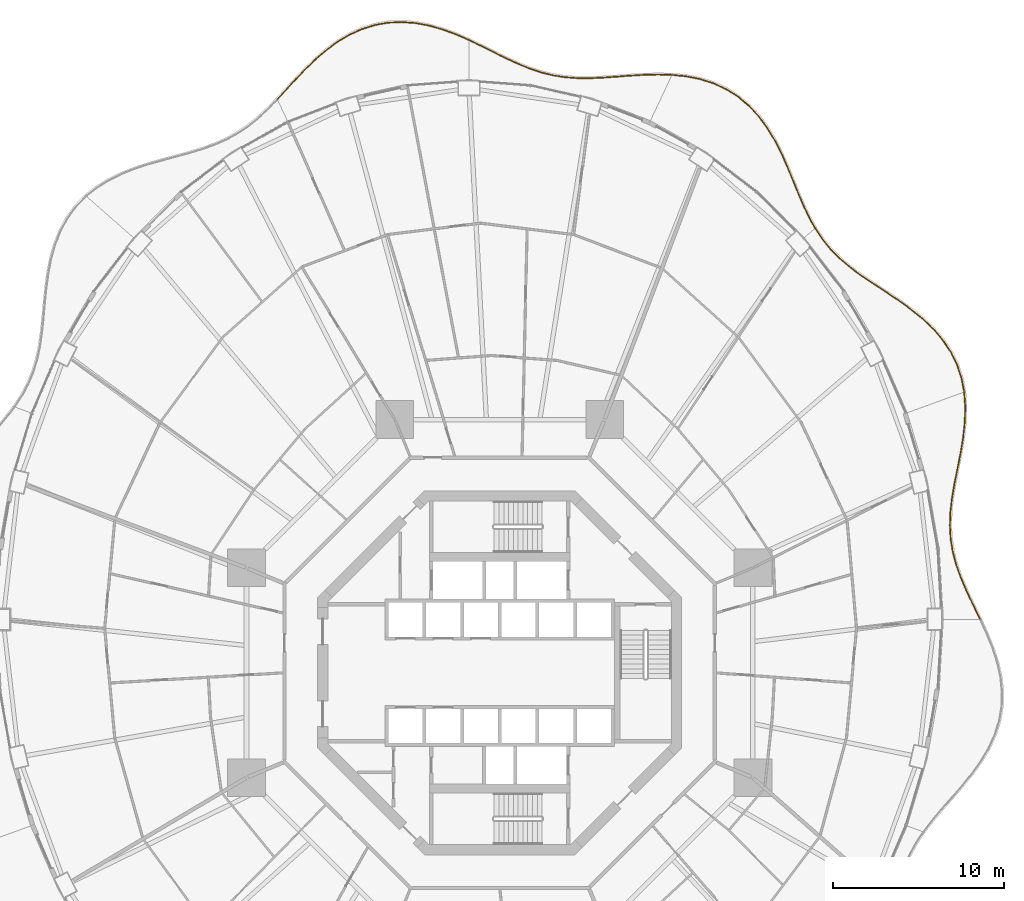
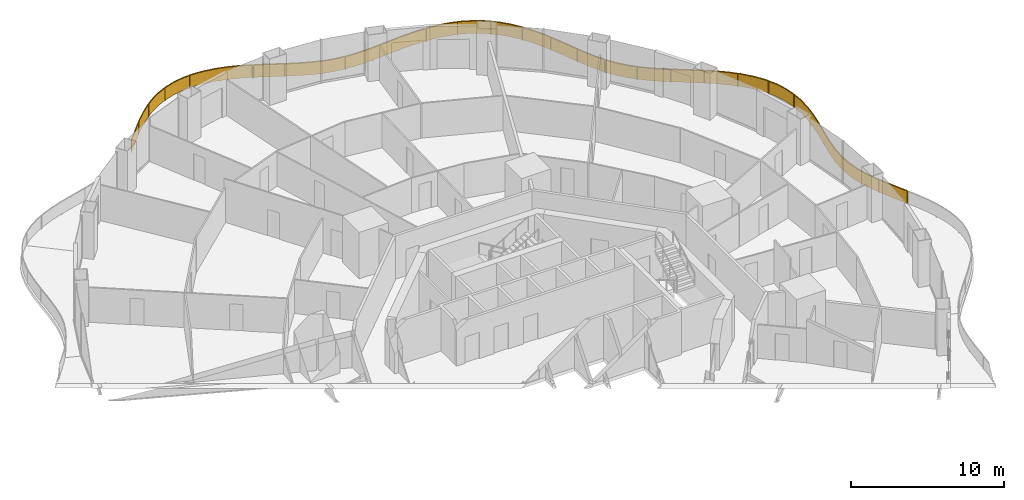
# One storey, part 22 of 22: 5 railings.
"""IFC4 building model written with IfcOpenShell, lengths in metres."""

from ifc_helpers import new_model, si_unit, direction, frame, origin, origin_2d, place, context, subcontext, project, spatial, polyline, rectangle, outline, extrude, material, type_object, element, save


model = new_model("IFC4")

# Units and contexts
model_context = context("Model", 3, precision=1e-05, world=origin(), true_north=direction((0.0, 1.0)))
body_context = subcontext(model_context, "Body", "Model", "MODEL_VIEW")
ifc_project = project(units=[si_unit("LENGTHUNIT", "METRE"), si_unit("AREAUNIT", "SQUARE_METRE"), si_unit("VOLUMEUNIT", "CUBIC_METRE"), si_unit("PLANEANGLEUNIT", "RADIAN"), si_unit("MASSUNIT", "GRAM", prefix="KILO")], contexts=[model_context])

# Site, building, storey
site_placement = place(None, origin())
site = spatial("IfcSite", under=ifc_project, at=site_placement, CompositionType="ELEMENT")
building_placement = place(site_placement, origin())
building = spatial("IfcBuilding", under=site, at=building_placement, Name="Nagisa Residences", CompositionType="ELEMENT")
storey_placement = place(building_placement, frame((0.0, 0.0, 84.39990234375)))
storey = spatial("IfcBuildingStorey", under=building, at=storey_placement, Name="L20", CompositionType="ELEMENT", Elevation=84.39990234375)

# Railings
ifc_material = material(Name="Stainless steel 316", Category="steel")
railing_type = type_object("IfcRailingType", Name="BALCONY GUARD 1100", PredefinedType="BALUSTRADE", material=ifc_material)
railing_1_placement = place(storey_placement, frame((28.029052734375, 3.15185546875, 0.0)))
element("IfcRailing", 1, at=railing_1_placement, inside=storey, type_object=railing_type, Name="guard:L20:bal00-0", PredefinedType="BALUSTRADE", context=body_context, shape_type="SweptSolid", body=[
    extrude(outline(polyline([(-0.395263671875, 0.7578125), (-0.0224609375, -0.010986328125), (0.0224609375, 0.010986328125), (-0.350341796875, 0.779296875), (-0.726806640625, 1.572998046875), (-1.065185546875, 2.353759765625), (-1.345947265625, 3.12646484375), (-1.55419921875, 3.8974609375), (-1.68017578125, 4.6591796875), (-1.725341796875, 5.4462890625), (-1.693603515625, 6.250244140625), (-1.5966796875, 7.075439453125), (-1.451416015625, 7.923095703125), (-1.276611328125, 8.779052734375), (-1.103759765625, 9.666748046875), (-0.955078125, 10.56640625), (-0.856201171875, 11.469970703125), (-0.828857421875, 12.366943359375), (-0.8876953125, 13.2001953125), (-0.9375, 13.19677734375), (-0.879150390625, 12.365966796875), (-0.906005859375, 11.473388671875), (-1.0048828125, 10.5732421875), (-1.153076171875, 9.675537109375), (-1.325927734375, 8.788818359375), (-1.500732421875, 7.932373046875), (-1.64599609375, 7.082763671875), (-1.743408203125, 6.254150390625), (-1.775634765625, 5.44580078125), (-1.72998046875, 4.65380859375), (-1.60302734375, 3.88671875), (-1.393798828125, 3.111328125), (-1.111572265625, 2.335205078125), (-0.772216796875, 1.552490234375), (-0.395263671875, 0.7578125)])), frame((0.0, 0.0, 1.050048828125)), (0.0, 0.0, 1.0), 0.050048828125),
    extrude(outline(polyline([(-0.379150390625, 0.765625), (-0.00634765625, -0.003173828125), (0.00634765625, 0.003173828125), (-0.366455078125, 0.771484375), (-0.7431640625, 1.565673828125), (-1.081787109375, 2.34716796875), (-1.36328125, 3.12109375), (-1.57177734375, 3.8935546875), (-1.697998046875, 4.6572265625), (-1.743408203125, 5.446044921875), (-1.71142578125, 6.251708984375), (-1.614501953125, 7.078125), (-1.46923828125, 7.926513671875), (-1.29443359375, 8.782470703125), (-1.12158203125, 9.669921875), (-0.97314453125, 10.56884765625), (-0.8740234375, 11.47119140625), (-0.846923828125, 12.36669921875), (-0.905517578125, 13.198974609375), (-0.919677734375, 13.197998046875), (-0.861083984375, 12.3662109375), (-0.88818359375, 11.47216796875), (-0.98681640625, 10.57080078125), (-1.13525390625, 9.67236328125), (-1.30810546875, 8.785400390625), (-1.48291015625, 7.928955078125), (-1.628173828125, 7.080078125), (-1.7255859375, 6.252685546875), (-1.757568359375, 5.446044921875), (-1.712158203125, 4.65576171875), (-1.58544921875, 3.890625), (-1.37646484375, 3.11669921875), (-1.094970703125, 2.341796875), (-0.755859375, 1.559814453125), (-0.379150390625, 0.765625)])), frame((0.0, 0.0, 0.06005859375)), (0.0, 0.0, 1.0), 0.989990234375),
    extrude(rectangle(XDim=0.0400390625, YDim=0.0400390625, at=origin_2d()), origin(), (0.0, 0.0, 1.0), 1.050048828125),
    extrude(rectangle(XDim=0.0400390625, YDim=0.0400390625, at=origin_2d()), frame((-0.961669921875, 2.052490234375, 0.0)), (0.0, 0.0, 1.0), 1.050048828125),
    extrude(rectangle(XDim=0.0400390625, YDim=0.0400390625, at=origin_2d()), frame((-1.63134765625, 4.21142578125, 0.0)), (0.0, 0.0, 1.0), 1.050048828125),
    extrude(rectangle(XDim=0.0400390625, YDim=0.0400390625, at=origin_2d()), frame((-1.693115234375, 6.46875, 0.0)), (0.0, 0.0, 1.0), 1.050048828125),
    extrude(rectangle(XDim=0.0400390625, YDim=0.0400390625, at=origin_2d()), frame((-1.31787109375, 8.703125, 0.0)), (0.0, 0.0, 1.0), 1.050048828125),
    extrude(rectangle(XDim=0.0400390625, YDim=0.0400390625, at=origin_2d()), frame((-0.939697265625, 10.937255859375, 0.0)), (0.0, 0.0, 1.0), 1.050048828125),
    extrude(rectangle(XDim=0.0400390625, YDim=0.0400390625, at=origin_2d()), frame((-0.91259765625, 13.198486328125, 0.0)), (0.0, 0.0, 1.0), 1.050048828125),
])
railing_2_placement = place(storey_placement, frame((27.106689453125, 16.427001953125, 0.0)))
element("IfcRailing", 2, at=railing_2_placement, inside=storey, type_object=railing_type, Name="guard:L20:bal01-0", PredefinedType="BALUSTRADE", context=body_context, shape_type="SweptSolid", body=[
    extrude(outline(polyline([(-0.17431640625, 0.7724609375), (-0.024658203125, -0.004638671875), (0.024658203125, 0.004638671875), (-0.1259765625, 0.78515625), (-0.390869140625, 1.57666015625), (-0.7607421875, 2.3251953125), (-1.229736328125, 3.02587890625), (-1.7880859375, 3.67626953125), (-2.4130859375, 4.26416015625), (-3.099609375, 4.8203125), (-3.820068359375, 5.3388671875), (-4.552978515625, 5.830078125), (-5.27783203125, 6.30615234375), (-5.96728515625, 6.76806640625), (-6.622802734375, 7.25390625), (-7.225341796875, 7.7646484375), (-7.768798828125, 8.311767578125), (-8.252197265625, 8.9033203125), (-8.6572265625, 9.510009765625), (-8.69873046875, 9.482177734375), (-8.292724609375, 8.87353515625), (-7.805908203125, 8.278076171875), (-7.259521484375, 7.72802734375), (-6.654052734375, 7.21484375), (-5.99609375, 6.72705078125), (-5.3056640625, 6.2646484375), (-4.580810546875, 5.78857421875), (-3.848388671875, 5.2978515625), (-3.1298828125, 4.78076171875), (-2.44580078125, 4.2265625), (-1.82421875, 3.6416015625), (-1.269775390625, 2.99560546875), (-0.80419921875, 2.30029296875), (-0.437255859375, 1.5576171875), (-0.17431640625, 0.7724609375)])), frame((0.0, 0.0, 1.050048828125)), (0.0, 0.0, 1.0), 0.050048828125),
    extrude(outline(polyline([(-0.156982421875, 0.777099609375), (-0.0068359375, -0.001220703125), (0.0068359375, 0.001220703125), (-0.143310546875, 0.780517578125), (-0.407470703125, 1.56982421875), (-0.7763671875, 2.316162109375), (-1.244140625, 3.014892578125), (-1.801025390625, 3.663818359375), (-2.4248046875, 4.250732421875), (-3.110595703125, 4.80615234375), (-3.830322265625, 5.32421875), (-4.56298828125, 5.815185546875), (-5.287841796875, 6.291259765625), (-5.9775390625, 6.753173828125), (-6.634033203125, 7.23974609375), (-7.23779296875, 7.75146484375), (-7.7822265625, 8.299560546875), (-8.266845703125, 8.892578125), (-8.672119140625, 9.5), (-8.683837890625, 9.4921875), (-8.278076171875, 8.88427734375), (-7.79248046875, 8.290283203125), (-7.2470703125, 7.7412109375), (-6.642822265625, 7.22900390625), (-5.98583984375, 6.741943359375), (-5.295654296875, 6.279541015625), (-4.57080078125, 5.803466796875), (-3.838134765625, 5.3125), (-3.118896484375, 4.794921875), (-2.43408203125, 4.239990234375), (-1.811279296875, 3.654052734375), (-1.25537109375, 3.006591796875), (-0.78857421875, 2.309326171875), (-0.420654296875, 1.564453125), (-0.156982421875, 0.777099609375)])), frame((0.0, 0.0, 0.06005859375)), (0.0, 0.0, 1.0), 0.989990234375),
    extrude(rectangle(XDim=0.0400390625, YDim=0.0400390625, at=origin_2d()), origin(), (0.0, 0.0, 1.0), 1.050048828125),
    extrude(rectangle(XDim=0.0400390625, YDim=0.0400390625, at=origin_2d()), frame((-0.67138671875, 2.088134765625, 0.0)), (0.0, 0.0, 1.0), 1.050048828125),
    extrude(rectangle(XDim=0.0400390625, YDim=0.0400390625, at=origin_2d()), frame((-1.99609375, 3.837646484375, 0.0)), (0.0, 0.0, 1.0), 1.050048828125),
    extrude(rectangle(XDim=0.0400390625, YDim=0.0400390625, at=origin_2d()), frame((-3.706298828125, 5.226318359375, 0.0)), (0.0, 0.0, 1.0), 1.050048828125),
    extrude(rectangle(XDim=0.0400390625, YDim=0.0400390625, at=origin_2d()), frame((-5.5400390625, 6.45166015625, 0.0)), (0.0, 0.0, 1.0), 1.050048828125),
    extrude(rectangle(XDim=0.0400390625, YDim=0.0400390625, at=origin_2d()), frame((-7.2880859375, 7.792236328125, 0.0)), (0.0, 0.0, 1.0), 1.050048828125),
    extrude(rectangle(XDim=0.0400390625, YDim=0.0400390625, at=origin_2d()), frame((-8.677978515625, 9.49609375, 0.0)), (0.0, 0.0, 1.0), 1.050048828125),
])
railing_3_placement = place(storey_placement, frame((18.3935546875, 25.984130859375, 0.0)))
element("IfcRailing", 3, at=railing_3_placement, inside=storey, type_object=railing_type, Name="guard:L20:bal02-0", PredefinedType="BALUSTRADE", context=body_context, shape_type="SweptSolid", body=[
    extrude(outline(polyline([(-0.365966796875, 0.611572265625), (-0.02197265625, -0.01220703125), (0.02197265625, 0.01220703125), (-0.321533203125, 0.634521484375), (-0.65478515625, 1.33642578125), (-0.9697265625, 2.0751953125), (-1.281494140625, 2.840576171875), (-1.60546875, 3.61962890625), (-1.94384765625, 4.38623046875), (-2.334716796875, 5.14501953125), (-2.77587890625, 5.8681640625), (-3.27587890625, 6.539306640625), (-3.8388671875, 7.143310546875), (-4.453857421875, 7.660400390625), (-5.139892578125, 8.096435546875), (-5.882568359375, 8.441650390625), (-6.671142578125, 8.694580078125), (-7.4951171875, 8.860595703125), (-8.29541015625, 8.94189453125), (-8.30029296875, 8.89208984375), (-7.50244140625, 8.811279296875), (-6.683837890625, 8.646240234375), (-5.900634765625, 8.394775390625), (-5.163818359375, 8.052490234375), (-4.483642578125, 7.619873046875), (-3.87353515625, 7.107177734375), (-3.314453125, 6.507080078125), (-2.8173828125, 5.84033203125), (-2.378173828125, 5.12060546875), (-1.9892578125, 4.36474609375), (-1.6513671875, 3.60009765625), (-1.327880859375, 2.821533203125), (-1.01611328125, 2.05615234375), (-0.7001953125, 1.31591796875), (-0.365966796875, 0.611572265625)])), frame((0.0, 0.0, 1.050048828125)), (0.0, 0.0, 1.0), 0.050048828125),
    extrude(outline(polyline([(-0.35009765625, 0.619873046875), (-0.006103515625, -0.00341796875), (0.006103515625, 0.00341796875), (-0.33740234375, 0.626220703125), (-0.671142578125, 1.3291015625), (-0.986572265625, 2.068359375), (-1.298095703125, 2.833740234375), (-1.6220703125, 3.612548828125), (-1.960205078125, 4.37841796875), (-2.350341796875, 5.13623046875), (-2.790771484375, 5.858154296875), (-3.289794921875, 6.527587890625), (-3.851318359375, 7.13037109375), (-4.464599609375, 7.645751953125), (-5.1484375, 8.08056640625), (-5.88916015625, 8.4248046875), (-6.67578125, 8.67724609375), (-7.497802734375, 8.8427734375), (-8.297119140625, 8.924072265625), (-8.298583984375, 8.909912109375), (-7.499755859375, 8.8291015625), (-6.67919921875, 8.66357421875), (-5.89404296875, 8.41162109375), (-5.1552734375, 8.068359375), (-4.472900390625, 7.634521484375), (-3.861083984375, 7.1201171875), (-3.300537109375, 6.518798828125), (-2.802490234375, 5.850341796875), (-2.362548828125, 5.12939453125), (-1.972900390625, 4.37255859375), (-1.634765625, 3.607177734375), (-1.311279296875, 2.828369140625), (-0.999267578125, 2.06298828125), (-0.683837890625, 1.3232421875), (-0.35009765625, 0.619873046875)])), frame((0.0, 0.0, 0.06005859375)), (0.0, 0.0, 1.0), 0.989990234375),
    extrude(rectangle(XDim=0.0400390625, YDim=0.0400390625, at=origin_2d()), origin(), (0.0, 0.0, 1.0), 1.050048828125),
    extrude(rectangle(XDim=0.0400390625, YDim=0.0400390625, at=origin_2d()), frame((-0.946044921875, 1.955810546875, 0.0)), (0.0, 0.0, 1.0), 1.050048828125),
    extrude(rectangle(XDim=0.0400390625, YDim=0.0400390625, at=origin_2d()), frame((-1.783935546875, 3.962158203125, 0.0)), (0.0, 0.0, 1.0), 1.050048828125),
    extrude(rectangle(XDim=0.0400390625, YDim=0.0400390625, at=origin_2d()), frame((-2.81201171875, 5.874755859375, 0.0)), (0.0, 0.0, 1.0), 1.050048828125),
    extrude(rectangle(XDim=0.0400390625, YDim=0.0400390625, at=origin_2d()), frame((-4.271728515625, 7.474609375, 0.0)), (0.0, 0.0, 1.0), 1.050048828125),
    extrude(rectangle(XDim=0.0400390625, YDim=0.0400390625, at=origin_2d()), frame((-6.16943359375, 8.50732421875, 0.0)), (0.0, 0.0, 1.0), 1.050048828125),
    extrude(rectangle(XDim=0.0400390625, YDim=0.0400390625, at=origin_2d()), frame((-8.2978515625, 8.9169921875, 0.0)), (0.0, 0.0, 1.0), 1.050048828125),
])
railing_4_placement = place(storey_placement, frame((10.0185546875, 34.905029296875, 0.0)))
element("IfcRailing", 4, at=railing_4_placement, inside=storey, type_object=railing_type, Name="guard:L20:bal03-0", PredefinedType="BALUSTRADE", context=body_context, shape_type="SweptSolid", body=[
    extrude(outline(polyline([(-0.779296875, -0.004638671875), (-0.000732421875, -0.02490234375), (0.000732421875, 0.02490234375), (-0.779296875, 0.045654296875), (-1.607421875, 0.024658203125), (-2.427490234375, -0.024169921875), (-3.231689453125, -0.083984375), (-4.015869140625, -0.13720703125), (-4.759765625, -0.17236328125), (-5.497314453125, -0.165771484375), (-6.21337890625, -0.11083984375), (-6.912353515625, -0.00048828125), (-7.599853515625, 0.168701171875), (-8.264892578125, 0.392578125), (-8.94970703125, 0.67138671875), (-9.642578125, 0.991943359375), (-10.34912109375, 1.341552734375), (-11.0732421875, 1.703369140625), (-11.773193359375, 2.041259765625), (-11.795166015625, 1.996337890625), (-11.09521484375, 1.658447265625), (-10.37158203125, 1.296630859375), (-9.6640625, 0.947021484375), (-8.9697265625, 0.62548828125), (-8.282470703125, 0.345703125), (-7.614013671875, 0.120361328125), (-6.922119140625, -0.0498046875), (-6.21923828125, -0.16064453125), (-5.499267578125, -0.215576171875), (-4.7587890625, -0.22265625), (-4.012939453125, -0.18701171875), (-3.228271484375, -0.1337890625), (-2.424072265625, -0.073974609375), (-1.60546875, -0.025146484375), (-0.779296875, -0.004638671875)])), frame((0.0, 0.0, 1.050048828125)), (0.0, 0.0, 1.0), 0.050048828125),
    extrude(outline(polyline([(-0.779296875, 0.013427734375), (-0.000244140625, -0.007080078125), (0.000244140625, 0.007080078125), (-0.779296875, 0.027587890625), (-1.606689453125, 0.0068359375), (-2.42626953125, -0.0419921875), (-3.23046875, -0.101806640625), (-4.014892578125, -0.155029296875), (-4.759521484375, -0.1904296875), (-5.498046875, -0.18359375), (-6.215576171875, -0.128662109375), (-6.915771484375, -0.018310546875), (-7.60498046875, 0.1513671875), (-8.271240234375, 0.375732421875), (-8.95703125, 0.65478515625), (-9.650390625, 0.975830078125), (-10.357177734375, 1.325439453125), (-11.0810546875, 1.687255859375), (-11.78125, 2.025146484375), (-11.787109375, 2.012451171875), (-11.08740234375, 1.674560546875), (-10.363525390625, 1.312744140625), (-9.65625, 0.963134765625), (-8.96240234375, 0.64208984375), (-8.276123046875, 0.362548828125), (-7.60888671875, 0.1376953125), (-6.918701171875, -0.031982421875), (-6.217041015625, -0.142822265625), (-5.49853515625, -0.19775390625), (-4.759033203125, -0.20458984375), (-4.013916015625, -0.169189453125), (-3.2294921875, -0.115966796875), (-2.42529296875, -0.05615234375), (-1.606201171875, -0.00732421875), (-0.779296875, 0.013427734375)])), frame((0.0, 0.0, 0.06005859375)), (0.0, 0.0, 1.0), 0.989990234375),
    extrude(rectangle(XDim=0.0400390625, YDim=0.0400390625, at=origin_2d()), origin(), (0.0, 0.0, 1.0), 1.050048828125),
    extrude(rectangle(XDim=0.0400390625, YDim=0.0400390625, at=origin_2d()), frame((-2.036865234375, -0.02587890625, 0.0)), (0.0, 0.0, 1.0), 1.050048828125),
    extrude(rectangle(XDim=0.0400390625, YDim=0.0400390625, at=origin_2d()), frame((-4.0703125, -0.164794921875, 0.0)), (0.0, 0.0, 1.0), 1.050048828125),
    extrude(rectangle(XDim=0.0400390625, YDim=0.0400390625, at=origin_2d()), frame((-6.105712890625, -0.144287109375, 0.0)), (0.0, 0.0, 1.0), 1.050048828125),
    extrude(rectangle(XDim=0.0400390625, YDim=0.0400390625, at=origin_2d()), frame((-8.087890625, 0.306640625, 0.0)), (0.0, 0.0, 1.0), 1.050048828125),
    extrude(rectangle(XDim=0.0400390625, YDim=0.0400390625, at=origin_2d()), frame((-9.95556640625, 1.118896484375, 0.0)), (0.0, 0.0, 1.0), 1.050048828125),
    extrude(rectangle(XDim=0.0400390625, YDim=0.0400390625, at=origin_2d()), frame((-11.7841796875, 2.018798828125, 0.0)), (0.0, 0.0, 1.0), 1.050048828125),
])
railing_5_placement = place(storey_placement, frame((-1.8349609375, 36.95703125, 0.0)))
element("IfcRailing", 5, at=railing_5_placement, inside=storey, type_object=railing_type, Name="guard:L20:bal04-0", PredefinedType="BALUSTRADE", context=body_context, shape_type="SweptSolid", body=[
    extrude(outline(polyline([(-0.727783203125, 0.29150390625), (-0.010009765625, -0.02294921875), (0.010009765625, 0.02294921875), (-0.709228515625, 0.337890625), (-1.490478515625, 0.62451171875), (-2.285888671875, 0.849365234375), (-3.0888671875, 0.997314453125), (-3.8916015625, 1.056396484375), (-4.672607421875, 1.02099609375), (-5.455078125, 0.8828125), (-6.2158203125, 0.64501953125), (-6.94775390625, 0.31396484375), (-7.6474609375, -0.10107421875), (-8.294921875, -0.581298828125), (-8.924072265625, -1.120849609375), (-9.521240234375, -1.69775390625), (-10.09033203125, -2.29248046875), (-10.638916015625, -2.887939453125), (-11.14306640625, -3.435546875), (-11.1064453125, -3.46923828125), (-10.602294921875, -2.921630859375), (-10.0537109375, -2.32666015625), (-9.485595703125, -1.73291015625), (-8.890380859375, -1.157958984375), (-8.263671875, -0.620361328125), (-7.61962890625, -0.142578125), (-6.9248046875, 0.26953125), (-6.19775390625, 0.59814453125), (-5.443359375, 0.833984375), (-4.667236328125, 0.97119140625), (-3.89208984375, 1.006103515625), (-3.09521484375, 0.947509765625), (-2.297119140625, 0.800537109375), (-1.506103515625, 0.57666015625), (-0.727783203125, 0.29150390625)])), frame((0.0, 0.0, 1.050048828125)), (0.0, 0.0, 1.0), 0.050048828125),
    extrude(outline(polyline([(-0.72119140625, 0.30810546875), (-0.0029296875, -0.00634765625), (0.0029296875, 0.00634765625), (-0.7158203125, 0.3212890625), (-1.49609375, 0.607177734375), (-2.289794921875, 0.831787109375), (-3.091064453125, 0.979248046875), (-3.891845703125, 1.038330078125), (-4.670654296875, 1.003173828125), (-5.450927734375, 0.865234375), (-6.209228515625, 0.628173828125), (-6.939453125, 0.2978515625), (-7.637451171875, -0.115966796875), (-8.28369140625, -0.595458984375), (-8.911865234375, -1.13427734375), (-9.50830078125, -1.71044921875), (-10.0771484375, -2.3046875), (-10.625732421875, -2.900146484375), (-11.1298828125, -3.44775390625), (-11.11962890625, -3.45703125), (-10.615478515625, -2.909423828125), (-10.06689453125, -2.314453125), (-9.49853515625, -1.72021484375), (-8.902587890625, -1.14453125), (-8.27490234375, -0.606201171875), (-7.629638671875, -0.127685546875), (-6.93310546875, 0.28564453125), (-6.204345703125, 0.614990234375), (-5.447509765625, 0.8515625), (-4.669189453125, 0.989013671875), (-3.891845703125, 1.024169921875), (-3.093017578125, 0.965576171875), (-2.293212890625, 0.818115234375), (-1.50048828125, 0.593994140625), (-0.72119140625, 0.30810546875)])), frame((0.0, 0.0, 0.06005859375)), (0.0, 0.0, 1.0), 0.989990234375),
    extrude(rectangle(XDim=0.0400390625, YDim=0.0400390625, at=origin_2d()), origin(), (0.0, 0.0, 1.0), 1.050048828125),
    extrude(rectangle(XDim=0.0400390625, YDim=0.0400390625, at=origin_2d()), frame((-2.0078125, 0.74462890625, 0.0)), (0.0, 0.0, 1.0), 1.050048828125),
    extrude(rectangle(XDim=0.0400390625, YDim=0.0400390625, at=origin_2d()), frame((-4.125244140625, 1.020751953125, 0.0)), (0.0, 0.0, 1.0), 1.050048828125),
    extrude(rectangle(XDim=0.0400390625, YDim=0.0400390625, at=origin_2d()), frame((-6.2197265625, 0.61572265625, 0.0)), (0.0, 0.0, 1.0), 1.050048828125),
    extrude(rectangle(XDim=0.0400390625, YDim=0.0400390625, at=origin_2d()), frame((-8.0732421875, -0.447998046875, 0.0)), (0.0, 0.0, 1.0), 1.050048828125),
    extrude(rectangle(XDim=0.0400390625, YDim=0.0400390625, at=origin_2d()), frame((-9.66357421875, -1.8828125, 0.0)), (0.0, 0.0, 1.0), 1.050048828125),
    extrude(rectangle(XDim=0.0400390625, YDim=0.0400390625, at=origin_2d()), frame((-11.124755859375, -3.452392578125, 0.0)), (0.0, 0.0, 1.0), 1.050048828125),
])

save(model, "model.ifc")
